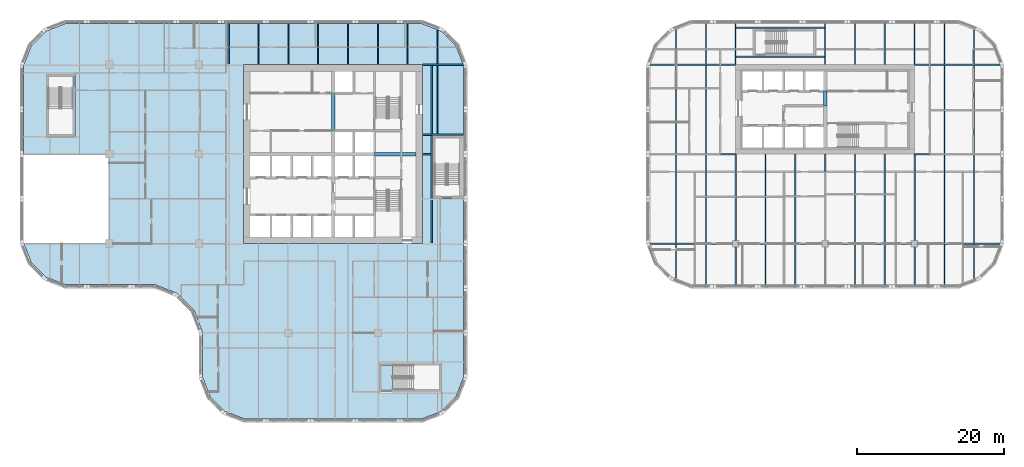
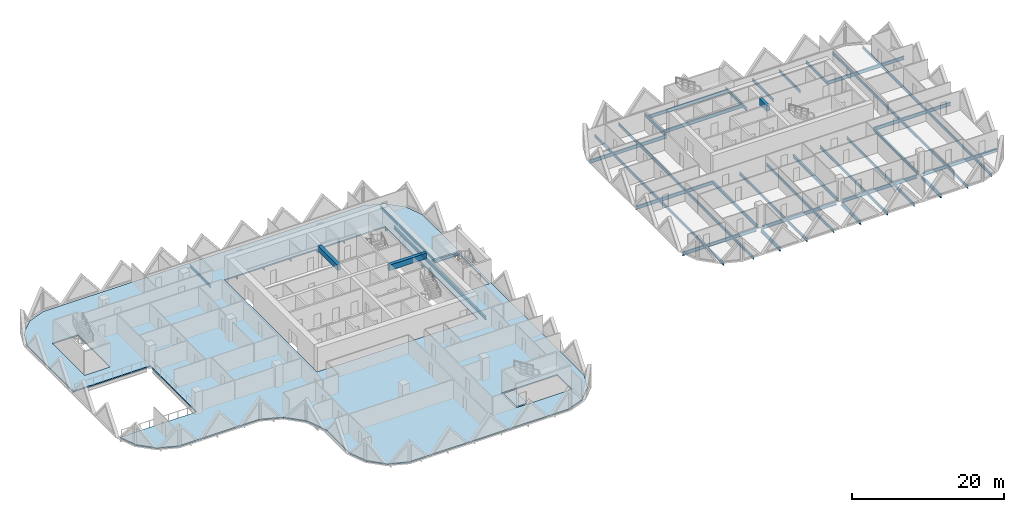
# One storey, part 2 of 19: 61 beams, 2 slabs.
"""IFC4 building model written with IfcOpenShell, lengths in metres."""

from ifc_helpers import new_model, si_unit, direction, frame, origin, origin_2d, place, context, subcontext, project, spatial, polyline, rectangle, i_section, outline, extrude, material, layer, layer_set, material_profile, profile_set, type_object, element, save


model = new_model("IFC4")

# Units and contexts
model_context = context("Model", 3, precision=1e-05, world=origin(), true_north=direction((0.0, 1.0)))
body_context = subcontext(model_context, "Body", "Model", "MODEL_VIEW")
ifc_project = project(units=[si_unit("LENGTHUNIT", "METRE"), si_unit("AREAUNIT", "SQUARE_METRE"), si_unit("VOLUMEUNIT", "CUBIC_METRE"), si_unit("PLANEANGLEUNIT", "RADIAN"), si_unit("MASSUNIT", "GRAM", prefix="KILO")], contexts=[model_context])

# Site, building, storey
site_placement = place(None, origin())
site = spatial("IfcSite", under=ifc_project, at=site_placement, CompositionType="ELEMENT")
building_placement = place(site_placement, origin())
building = spatial("IfcBuilding", under=site, at=building_placement, Name="Tessera Gate Towers", CompositionType="ELEMENT")
storey_placement = place(building_placement, frame((0.0, 0.0, 25.800048828125)))
storey = spatial("IfcBuildingStorey", under=building, at=storey_placement, Name="L05", CompositionType="ELEMENT", Elevation=25.800048828125)

# Beams
ifc_material_1 = material(Name="Concrete C60/75", Category="concrete")
ifc_material_profile_1 = material_profile(ifc_material_1, rectangle(XDim=0.5, YDim=0.89990234375, at=origin_2d()), Name="RC 500x900")
ifc_profile_set_1 = profile_set([ifc_material_profile_1], Name="Concrete C60/75")
beam_type_1 = type_object("IfcBeamType", Name="COUPLING BEAM 500x900 C60/75", PredefinedType="BEAM", material=ifc_profile_set_1)
beam_1_placement = place(storey_placement, frame((109.800048828125, 43.199951171875, 3.14990234375), z_axis=(0.0, 1.0, 0.0), x_axis=(-1.0, 0.0, 0.0)))
element("IfcBeam", 1, at=beam_1_placement, inside=storey, type_object=beam_type_1, Name="L05 coupling beam 1", PredefinedType="BEAM", context=body_context, shape_type="SweptSolid", body=[
    extrude(rectangle(XDim=0.5, YDim=0.89990234375, at=origin_2d()), origin(), (0.0, 0.0, 1.0), 2.0),
])
ifc_material_2 = material(Name="Concrete C70/85", Category="concrete")
ifc_material_profile_2 = material_profile(ifc_material_2, rectangle(XDim=0.5, YDim=0.89990234375, at=origin_2d()), Name="RC 500x900")
ifc_profile_set_2 = profile_set([ifc_material_profile_2], Name="Concrete C70/85")
beam_type_2 = type_object("IfcBeamType", Name="COUPLING BEAM 500x900 C70/85", PredefinedType="BEAM", material=ifc_profile_set_2)
beam_2_placement = place(storey_placement, frame((48.35009765625, 36.60009765625, 3.14990234375), z_axis=(1.0, 0.0, 0.0), x_axis=(0.0, 1.0, 0.0)))
element("IfcBeam", 2, at=beam_2_placement, inside=storey, type_object=beam_type_2, Name="L05 coupling beam 1", PredefinedType="BEAM", context=body_context, shape_type="SweptSolid", body=[
    extrude(rectangle(XDim=0.5, YDim=0.89990234375, at=origin_2d()), origin(), (0.0, 0.0, 1.0), 5.64990234375),
])
beam_3_placement = place(storey_placement, frame((42.699951171875, 39.800048828125, 3.14990234375), z_axis=(0.0, 1.0, 0.0), x_axis=(-1.0, 0.0, 0.0)))
element("IfcBeam", 3, at=beam_3_placement, inside=storey, type_object=beam_type_2, Name="L05 coupling beam 2", PredefinedType="BEAM", context=body_context, shape_type="SweptSolid", body=[
    extrude(rectangle(XDim=0.5, YDim=0.89990234375, at=origin_2d()), origin(), (0.0, 0.0, 1.0), 5.099853515625),
])
ifc_material_3 = material(Name="Steel 350W", Category="steel")
ifc_material_profile_3 = material_profile(ifc_material_3, i_section(OverallWidth=0.208984375, OverallDepth=0.532958984375, WebThickness=0.01025390625, FlangeThickness=0.015625, at=origin_2d()), Name="W530x92")
ifc_profile_set_3 = profile_set([ifc_material_profile_3], Name="Steel 350W")
beam_type_3 = type_object("IfcBeamType", Name="FLOOR GIRDER W530x92", PredefinedType="BEAM", material=ifc_profile_set_3)
beam_4_placement = place(storey_placement, frame((54.89892578125, 36.60009765625, -0.466552734375), z_axis=(1.0, 0.0, 0.0), x_axis=(0.0, 1.0, 0.0)))
element("IfcBeam", 4, at=beam_4_placement, inside=storey, type_object=beam_type_3, Name="T1-GD-L05-929", PredefinedType="BEAM", context=body_context, shape_type="SweptSolid", body=[
    extrude(i_section(OverallWidth=0.208984375, OverallDepth=0.532958984375, WebThickness=0.01025390625, FlangeThickness=0.015625, at=origin_2d()), origin(), (0.0, 0.0, 1.0), 1.176513671875),
])
beam_5_placement = place(storey_placement, frame((54.90087890625, 48.800048828125, -0.466552734375), z_axis=(1.0, 0.0, 0.0), x_axis=(0.0, 1.0, 0.0)))
element("IfcBeam", 5, at=beam_5_placement, inside=storey, type_object=beam_type_3, Name="T1-GD-L05-933", PredefinedType="BEAM", context=body_context, shape_type="SweptSolid", body=[
    extrude(i_section(OverallWidth=0.208984375, OverallDepth=0.532958984375, WebThickness=0.01025390625, FlangeThickness=0.015625, at=origin_2d()), origin(), (0.0, 0.0, 1.0), 5.564208984375),
])
beam_6_placement = place(storey_placement, frame((54.89892578125, 39.219970703125, -0.466552734375), z_axis=(1.0, 0.0, 0.0), x_axis=(0.0, 1.0, 0.0)))
element("IfcBeam", 6, at=beam_6_placement, inside=storey, type_object=beam_type_3, Name="T1-GD-L05-951", PredefinedType="BEAM", context=body_context, shape_type="SweptSolid", body=[
    extrude(i_section(OverallWidth=0.208984375, OverallDepth=0.532958984375, WebThickness=0.01025390625, FlangeThickness=0.015625, at=origin_2d()), origin(), (0.0, 0.0, 1.0), 5.60205078125),
])
beam_7_placement = place(storey_placement, frame((56.179931640625, 24.50439453125, -0.466552734375), z_axis=(0.0, 1.0, 0.0), x_axis=(-1.0, 0.0, 0.0)))
element("IfcBeam", 7, at=beam_7_placement, inside=storey, type_object=beam_type_3, Name="T1-GD-L05-952", PredefinedType="BEAM", context=body_context, shape_type="SweptSolid", body=[
    extrude(i_section(OverallWidth=0.208984375, OverallDepth=0.532958984375, WebThickness=0.01025390625, FlangeThickness=0.015625, at=origin_2d()), origin(), (0.0, 0.0, 1.0), 24.191162109375),
])
beam_8_placement = place(storey_placement, frame((85.934814453125, 24.39990234375, -0.466552734375), z_axis=(1.0, 0.0, 0.0), x_axis=(0.0, 1.0, 0.0)))
element("IfcBeam", 8, at=beam_8_placement, inside=storey, type_object=beam_type_3, Name="T2-GD-L05-993", PredefinedType="BEAM", context=body_context, shape_type="SweptSolid", body=[
    extrude(i_section(OverallWidth=0.208984375, OverallDepth=0.532958984375, WebThickness=0.01025390625, FlangeThickness=0.015625, at=origin_2d()), origin(), (0.0, 0.0, 1.0), 11.215087890625),
])
for number, where, z_axis, x_axis, name in (
    (9, (98.050048828125, 24.39990234375, -0.466552734375), (1.0, 0.0, 0.0), (0.0, 1.0, 0.0), "T2-GD-L05-994"),
    (10, (110.25, 24.39990234375, -0.466552734375), (1.0, 0.0, 0.0), (0.0, 1.0, 0.0), "T2-GD-L05-995"),
):
    element("IfcBeam", number, at=place(storey_placement, frame(where, z_axis=z_axis, x_axis=x_axis)), inside=storey, type_object=beam_type_3, Name=name, PredefinedType="BEAM", context=body_context, shape_type="SweptSolid", body=[
        extrude(i_section(OverallWidth=0.208984375, OverallDepth=0.532958984375, WebThickness=0.01025390625, FlangeThickness=0.015625, at=origin_2d()), origin(), (0.0, 0.0, 1.0), 11.300048828125),
    ])
beam_9_placement = place(storey_placement, frame((122.449951171875, 24.39990234375, -0.466552734375), z_axis=(1.0, 0.0, 0.0), x_axis=(0.0, 1.0, 0.0)))
element("IfcBeam", 11, at=beam_9_placement, inside=storey, type_object=beam_type_3, Name="T2-GD-L05-996", PredefinedType="BEAM", context=body_context, shape_type="SweptSolid", body=[
    extrude(i_section(OverallWidth=0.208984375, OverallDepth=0.532958984375, WebThickness=0.01025390625, FlangeThickness=0.015625, at=origin_2d()), origin(), (0.0, 0.0, 1.0), 11.21533203125),
])
beam_10_placement = place(storey_placement, frame((85.89892578125, 36.60009765625, -0.466552734375), z_axis=(1.0, 0.0, 0.0), x_axis=(0.0, 1.0, 0.0)))
element("IfcBeam", 12, at=beam_10_placement, inside=storey, type_object=beam_type_3, Name="T2-GD-L05-997", PredefinedType="BEAM", context=body_context, shape_type="SweptSolid", body=[
    extrude(i_section(OverallWidth=0.208984375, OverallDepth=0.532958984375, WebThickness=0.01025390625, FlangeThickness=0.015625, at=origin_2d()), origin(), (0.0, 0.0, 1.0), 11.7001953125),
])
beam_11_placement = place(storey_placement, frame((122.0009765625, 36.60009765625, -0.466552734375), z_axis=(1.0, 0.0, 0.0), x_axis=(0.0, 1.0, 0.0)))
element("IfcBeam", 13, at=beam_11_placement, inside=storey, type_object=beam_type_3, Name="T2-GD-L05-998", PredefinedType="BEAM", context=body_context, shape_type="SweptSolid", body=[
    extrude(i_section(OverallWidth=0.208984375, OverallDepth=0.532958984375, WebThickness=0.01025390625, FlangeThickness=0.015625, at=origin_2d()), origin(), (0.0, 0.0, 1.0), 11.699951171875),
])
for number, where, z_axis, x_axis, name in (
    (14, (85.934814453125, 48.800048828125, -0.466552734375), (1.0, 0.0, 0.0), (0.0, 1.0, 0.0), "T2-GD-L05-999"),
    (15, (122.0009765625, 48.800048828125, -0.466552734375), (1.0, 0.0, 0.0), (0.0, 1.0, 0.0), "T2-GD-L05-1000"),
):
    element("IfcBeam", number, at=place(storey_placement, frame(where, z_axis=z_axis, x_axis=x_axis)), inside=storey, type_object=beam_type_3, Name=name, PredefinedType="BEAM", context=body_context, shape_type="SweptSolid", body=[
        extrude(i_section(OverallWidth=0.208984375, OverallDepth=0.532958984375, WebThickness=0.01025390625, FlangeThickness=0.015625, at=origin_2d()), origin(), (0.0, 0.0, 1.0), 11.664306640625),
    ])
beam_12_placement = place(storey_placement, frame((97.60009765625, 18.799072265625, -0.466552734375), z_axis=(0.0, 1.0, 0.0), x_axis=(-1.0, 0.0, 0.0)))
element("IfcBeam", 16, at=beam_12_placement, inside=storey, type_object=beam_type_3, Name="T2-GD-L05-1001", PredefinedType="BEAM", context=body_context, shape_type="SweptSolid", body=[
    extrude(i_section(OverallWidth=0.208984375, OverallDepth=0.532958984375, WebThickness=0.01025390625, FlangeThickness=0.015625, at=origin_2d()), origin(), (0.0, 0.0, 1.0), 5.15087890625),
])
beam_13_placement = place(storey_placement, frame((97.60009765625, 24.85009765625, -0.466552734375), z_axis=(0.0, 1.0, 0.0), x_axis=(-1.0, 0.0, 0.0)))
element("IfcBeam", 17, at=beam_13_placement, inside=storey, type_object=beam_type_3, Name="T2-GD-L05-1002", PredefinedType="BEAM", context=body_context, shape_type="SweptSolid", body=[
    extrude(i_section(OverallWidth=0.208984375, OverallDepth=0.532958984375, WebThickness=0.01025390625, FlangeThickness=0.015625, at=origin_2d()), origin(), (0.0, 0.0, 1.0), 11.75),
])
beam_14_placement = place(storey_placement, frame((109.800048828125, 18.799072265625, -0.466552734375), z_axis=(0.0, 1.0, 0.0), x_axis=(-1.0, 0.0, 0.0)))
element("IfcBeam", 18, at=beam_14_placement, inside=storey, type_object=beam_type_3, Name="T2-GD-L05-1003", PredefinedType="BEAM", context=body_context, shape_type="SweptSolid", body=[
    extrude(i_section(OverallWidth=0.208984375, OverallDepth=0.532958984375, WebThickness=0.01025390625, FlangeThickness=0.015625, at=origin_2d()), origin(), (0.0, 0.0, 1.0), 5.15087890625),
])
beam_15_placement = place(storey_placement, frame((109.800048828125, 24.85009765625, -0.466552734375), z_axis=(0.0, 1.0, 0.0), x_axis=(-1.0, 0.0, 0.0)))
element("IfcBeam", 19, at=beam_15_placement, inside=storey, type_object=beam_type_3, Name="T2-GD-L05-1004", PredefinedType="BEAM", context=body_context, shape_type="SweptSolid", body=[
    extrude(i_section(OverallWidth=0.208984375, OverallDepth=0.532958984375, WebThickness=0.01025390625, FlangeThickness=0.015625, at=origin_2d()), origin(), (0.0, 0.0, 1.0), 11.75),
])
beam_16_placement = place(storey_placement, frame((122.0, 18.799072265625, -0.466552734375), z_axis=(0.0, 1.0, 0.0), x_axis=(-1.0, 0.0, 0.0)))
element("IfcBeam", 20, at=beam_16_placement, inside=storey, type_object=beam_type_3, Name="T2-GD-L05-1005", PredefinedType="BEAM", context=body_context, shape_type="SweptSolid", body=[
    extrude(i_section(OverallWidth=0.208984375, OverallDepth=0.532958984375, WebThickness=0.01025390625, FlangeThickness=0.015625, at=origin_2d()), origin(), (0.0, 0.0, 1.0), 5.15087890625),
])
beam_17_placement = place(storey_placement, frame((122.0, 24.85009765625, -0.466552734375), z_axis=(0.0, 1.0, 0.0), x_axis=(-1.0, 0.0, 0.0)))
element("IfcBeam", 21, at=beam_17_placement, inside=storey, type_object=beam_type_3, Name="T2-GD-L05-1006", PredefinedType="BEAM", context=body_context, shape_type="SweptSolid", body=[
    extrude(i_section(OverallWidth=0.208984375, OverallDepth=0.532958984375, WebThickness=0.01025390625, FlangeThickness=0.015625, at=origin_2d()), origin(), (0.0, 0.0, 1.0), 11.75),
])
for number, where, z_axis, x_axis, name in (
    (22, (97.676513671875, 49.8798828125, -0.466552734375), (1.0, 0.0, 0.0), (0.0, 1.0, 0.0), "T2-GD-L05-1007"),
    (23, (97.676513671875, 53.820068359375, -0.466552734375), (1.0, 0.0, 0.0), (0.0, 1.0, 0.0), "T2-GD-L05-1008"),
):
    element("IfcBeam", number, at=place(storey_placement, frame(where, z_axis=z_axis, x_axis=x_axis)), inside=storey, type_object=beam_type_3, Name=name, PredefinedType="BEAM", context=body_context, shape_type="SweptSolid", body=[
        extrude(i_section(OverallWidth=0.208984375, OverallDepth=0.532958984375, WebThickness=0.01025390625, FlangeThickness=0.015625, at=origin_2d()), origin(), (0.0, 0.0, 1.0), 12.046875),
    ])
ifc_material_4 = material(Name="Steel 350W", Category="steel")
ifc_material_profile_4 = material_profile(ifc_material_4, i_section(OverallWidth=0.153076171875, OverallDepth=0.455078125, WebThickness=0.008056640625, FlangeThickness=0.01318359375, at=origin_2d()), Name="W460x60")
ifc_profile_set_4 = profile_set([ifc_material_profile_4], Name="Steel 350W")
beam_type_4 = type_object("IfcBeamType", Name="FLOOR SECONDARY W460x60", PredefinedType="BEAM", material=ifc_profile_set_4)
beam_18_placement = place(storey_placement, frame((28.466796875, 48.904541015625, -0.427490234375), z_axis=(0.0, 1.0, 0.0), x_axis=(-1.0, 0.0, 0.0)))
element("IfcBeam", 24, at=beam_18_placement, inside=storey, type_object=beam_type_4, Name="T1-BM-L05-971", PredefinedType="BEAM", context=body_context, shape_type="SweptSolid", body=[
    extrude(i_section(OverallWidth=0.153076171875, OverallDepth=0.455078125, WebThickness=0.008056640625, FlangeThickness=0.01318359375, at=origin_2d()), origin(), (0.0, 0.0, 1.0), 5.495361328125),
])
for number, where, z_axis, x_axis, name in (
    (25, (32.533203125, 48.800048828125, -0.427490234375), (0.0, 1.0, 0.0), (-1.0, 0.0, 0.0), "T1-BM-L05-974"),
    (26, (36.60009765625, 48.800048828125, -0.427490234375), (0.0, 1.0, 0.0), (-1.0, 0.0, 0.0), "T1-BM-L05-975"),
    (27, (40.666748046875, 48.800048828125, -0.427490234375), (0.0, 1.0, 0.0), (-1.0, 0.0, 0.0), "T1-BM-L05-978"),
    (28, (44.7333984375, 48.800048828125, -0.427490234375), (0.0, 1.0, 0.0), (-1.0, 0.0, 0.0), "T1-BM-L05-981"),
    (29, (48.800048828125, 48.800048828125, -0.427490234375), (0.0, 1.0, 0.0), (-1.0, 0.0, 0.0), "T1-BM-L05-982"),
    (30, (52.86669921875, 48.800048828125, -0.427490234375), (0.0, 1.0, 0.0), (-1.0, 0.0, 0.0), "T1-BM-L05-986"),
):
    element("IfcBeam", number, at=place(storey_placement, frame(where, z_axis=z_axis, x_axis=x_axis)), inside=storey, type_object=beam_type_4, Name=name, PredefinedType="BEAM", context=body_context, shape_type="SweptSolid", body=[
        extrude(i_section(OverallWidth=0.153076171875, OverallDepth=0.455078125, WebThickness=0.008056640625, FlangeThickness=0.01318359375, at=origin_2d()), origin(), (0.0, 0.0, 1.0), 5.599853515625),
    ])
beam_19_placement = place(storey_placement, frame((56.933349609375, 39.324462890625, -0.427490234375), z_axis=(0.0, 1.0, 0.0), x_axis=(-1.0, 0.0, 0.0)))
element("IfcBeam", 31, at=beam_19_placement, inside=storey, type_object=beam_type_4, Name="T1-BM-L05-991", PredefinedType="BEAM", context=body_context, shape_type="SweptSolid", body=[
    extrude(i_section(OverallWidth=0.153076171875, OverallDepth=0.455078125, WebThickness=0.008056640625, FlangeThickness=0.01318359375, at=origin_2d()), origin(), (0.0, 0.0, 1.0), 9.37109375),
])
for number, where, z_axis, x_axis, name in (
    (32, (56.933349609375, 48.904541015625, -0.427490234375), (0.0, 1.0, 0.0), (-1.0, 0.0, 0.0), "T1-BM-L05-992"),
    (33, (89.466796875, 19.620361328125, -0.427490234375), (0.0, 1.0, 0.0), (-1.0, 0.0, 0.0), "T2-BM-L05-1009"),
):
    element("IfcBeam", number, at=place(storey_placement, frame(where, z_axis=z_axis, x_axis=x_axis)), inside=storey, type_object=beam_type_4, Name=name, PredefinedType="BEAM", context=body_context, shape_type="SweptSolid", body=[
        extrude(i_section(OverallWidth=0.153076171875, OverallDepth=0.455078125, WebThickness=0.008056640625, FlangeThickness=0.01318359375, at=origin_2d()), origin(), (0.0, 0.0, 1.0), 4.675048828125),
    ])
beam_20_placement = place(storey_placement, frame((89.466796875, 24.50439453125, -0.427490234375), z_axis=(0.0, 1.0, 0.0), x_axis=(-1.0, 0.0, 0.0)))
element("IfcBeam", 34, at=beam_20_placement, inside=storey, type_object=beam_type_4, Name="T2-BM-L05-1010", PredefinedType="BEAM", context=body_context, shape_type="SweptSolid", body=[
    extrude(i_section(OverallWidth=0.153076171875, OverallDepth=0.455078125, WebThickness=0.008056640625, FlangeThickness=0.01318359375, at=origin_2d()), origin(), (0.0, 0.0, 1.0), 11.9912109375),
])
beam_21_placement = place(storey_placement, frame((89.466796875, 36.70458984375, -0.427490234375), z_axis=(0.0, 1.0, 0.0), x_axis=(-1.0, 0.0, 0.0)))
element("IfcBeam", 35, at=beam_21_placement, inside=storey, type_object=beam_type_4, Name="T2-BM-L05-1011", PredefinedType="BEAM", context=body_context, shape_type="SweptSolid", body=[
    extrude(i_section(OverallWidth=0.153076171875, OverallDepth=0.455078125, WebThickness=0.008056640625, FlangeThickness=0.01318359375, at=origin_2d()), origin(), (0.0, 0.0, 1.0), 11.990966796875),
])
beam_22_placement = place(storey_placement, frame((89.466796875, 48.904541015625, -0.427490234375), z_axis=(0.0, 1.0, 0.0), x_axis=(-1.0, 0.0, 0.0)))
element("IfcBeam", 36, at=beam_22_placement, inside=storey, type_object=beam_type_4, Name="T2-BM-L05-1012", PredefinedType="BEAM", context=body_context, shape_type="SweptSolid", body=[
    extrude(i_section(OverallWidth=0.153076171875, OverallDepth=0.455078125, WebThickness=0.008056640625, FlangeThickness=0.01318359375, at=origin_2d()), origin(), (0.0, 0.0, 1.0), 4.675048828125),
])
beam_23_placement = place(storey_placement, frame((93.533203125, 18.800048828125, -0.427490234375), z_axis=(0.0, 1.0, 0.0), x_axis=(-1.0, 0.0, 0.0)))
element("IfcBeam", 37, at=beam_23_placement, inside=storey, type_object=beam_type_4, Name="T2-BM-L05-1013", PredefinedType="BEAM", context=body_context, shape_type="SweptSolid", body=[
    extrude(i_section(OverallWidth=0.153076171875, OverallDepth=0.455078125, WebThickness=0.008056640625, FlangeThickness=0.01318359375, at=origin_2d()), origin(), (0.0, 0.0, 1.0), 5.495361328125),
])
beam_24_placement = place(storey_placement, frame((93.533203125, 24.50439453125, -0.427490234375), z_axis=(0.0, 1.0, 0.0), x_axis=(-1.0, 0.0, 0.0)))
element("IfcBeam", 38, at=beam_24_placement, inside=storey, type_object=beam_type_4, Name="T2-BM-L05-1014", PredefinedType="BEAM", context=body_context, shape_type="SweptSolid", body=[
    extrude(i_section(OverallWidth=0.153076171875, OverallDepth=0.455078125, WebThickness=0.008056640625, FlangeThickness=0.01318359375, at=origin_2d()), origin(), (0.0, 0.0, 1.0), 11.9912109375),
])
beam_25_placement = place(storey_placement, frame((93.533203125, 36.70458984375, -0.427490234375), z_axis=(0.0, 1.0, 0.0), x_axis=(-1.0, 0.0, 0.0)))
element("IfcBeam", 39, at=beam_25_placement, inside=storey, type_object=beam_type_4, Name="T2-BM-L05-1015", PredefinedType="BEAM", context=body_context, shape_type="SweptSolid", body=[
    extrude(i_section(OverallWidth=0.153076171875, OverallDepth=0.455078125, WebThickness=0.008056640625, FlangeThickness=0.01318359375, at=origin_2d()), origin(), (0.0, 0.0, 1.0), 11.990966796875),
])
beam_26_placement = place(storey_placement, frame((93.533203125, 48.904541015625, -0.427490234375), z_axis=(0.0, 1.0, 0.0), x_axis=(-1.0, 0.0, 0.0)))
element("IfcBeam", 40, at=beam_26_placement, inside=storey, type_object=beam_type_4, Name="T2-BM-L05-1016", PredefinedType="BEAM", context=body_context, shape_type="SweptSolid", body=[
    extrude(i_section(OverallWidth=0.153076171875, OverallDepth=0.455078125, WebThickness=0.008056640625, FlangeThickness=0.01318359375, at=origin_2d()), origin(), (0.0, 0.0, 1.0), 5.495361328125),
])
beam_27_placement = place(storey_placement, frame((97.60009765625, 48.800048828125, -0.427490234375), z_axis=(0.0, 1.0, 0.0), x_axis=(-1.0, 0.0, 0.0)))
element("IfcBeam", 41, at=beam_27_placement, inside=storey, type_object=beam_type_4, Name="T2-BM-L05-1017", PredefinedType="BEAM", context=body_context, shape_type="SweptSolid", body=[
    extrude(i_section(OverallWidth=0.153076171875, OverallDepth=0.455078125, WebThickness=0.008056640625, FlangeThickness=0.01318359375, at=origin_2d()), origin(), (0.0, 0.0, 1.0), 5.599853515625),
])
beam_28_placement = place(storey_placement, frame((101.666748046875, 18.800048828125, -0.427490234375), z_axis=(0.0, 1.0, 0.0), x_axis=(-1.0, 0.0, 0.0)))
element("IfcBeam", 42, at=beam_28_placement, inside=storey, type_object=beam_type_4, Name="T2-BM-L05-1018", PredefinedType="BEAM", context=body_context, shape_type="SweptSolid", body=[
    extrude(i_section(OverallWidth=0.153076171875, OverallDepth=0.455078125, WebThickness=0.008056640625, FlangeThickness=0.01318359375, at=origin_2d()), origin(), (0.0, 0.0, 1.0), 5.495361328125),
])
beam_29_placement = place(storey_placement, frame((101.666748046875, 24.50439453125, -0.427490234375), z_axis=(0.0, 1.0, 0.0), x_axis=(-1.0, 0.0, 0.0)))
element("IfcBeam", 43, at=beam_29_placement, inside=storey, type_object=beam_type_4, Name="T2-BM-L05-1019", PredefinedType="BEAM", context=body_context, shape_type="SweptSolid", body=[
    extrude(i_section(OverallWidth=0.153076171875, OverallDepth=0.455078125, WebThickness=0.008056640625, FlangeThickness=0.01318359375, at=origin_2d()), origin(), (0.0, 0.0, 1.0), 12.095703125),
])
beam_30_placement = place(storey_placement, frame((105.7333984375, 18.800048828125, -0.427490234375), z_axis=(0.0, 1.0, 0.0), x_axis=(-1.0, 0.0, 0.0)))
element("IfcBeam", 44, at=beam_30_placement, inside=storey, type_object=beam_type_4, Name="T2-BM-L05-1020", PredefinedType="BEAM", context=body_context, shape_type="SweptSolid", body=[
    extrude(i_section(OverallWidth=0.153076171875, OverallDepth=0.455078125, WebThickness=0.008056640625, FlangeThickness=0.01318359375, at=origin_2d()), origin(), (0.0, 0.0, 1.0), 5.495361328125),
])
beam_31_placement = place(storey_placement, frame((105.7333984375, 24.50439453125, -0.427490234375), z_axis=(0.0, 1.0, 0.0), x_axis=(-1.0, 0.0, 0.0)))
element("IfcBeam", 45, at=beam_31_placement, inside=storey, type_object=beam_type_4, Name="T2-BM-L05-1021", PredefinedType="BEAM", context=body_context, shape_type="SweptSolid", body=[
    extrude(i_section(OverallWidth=0.153076171875, OverallDepth=0.455078125, WebThickness=0.008056640625, FlangeThickness=0.01318359375, at=origin_2d()), origin(), (0.0, 0.0, 1.0), 12.095703125),
])
beam_32_placement = place(storey_placement, frame((109.800048828125, 48.800048828125, -0.427490234375), z_axis=(0.0, 1.0, 0.0), x_axis=(-1.0, 0.0, 0.0)))
element("IfcBeam", 46, at=beam_32_placement, inside=storey, type_object=beam_type_4, Name="T2-BM-L05-1022", PredefinedType="BEAM", context=body_context, shape_type="SweptSolid", body=[
    extrude(i_section(OverallWidth=0.153076171875, OverallDepth=0.455078125, WebThickness=0.008056640625, FlangeThickness=0.01318359375, at=origin_2d()), origin(), (0.0, 0.0, 1.0), 5.599853515625),
])
beam_33_placement = place(storey_placement, frame((113.86669921875, 18.800048828125, -0.427490234375), z_axis=(0.0, 1.0, 0.0), x_axis=(-1.0, 0.0, 0.0)))
element("IfcBeam", 47, at=beam_33_placement, inside=storey, type_object=beam_type_4, Name="T2-BM-L05-1023", PredefinedType="BEAM", context=body_context, shape_type="SweptSolid", body=[
    extrude(i_section(OverallWidth=0.153076171875, OverallDepth=0.455078125, WebThickness=0.008056640625, FlangeThickness=0.01318359375, at=origin_2d()), origin(), (0.0, 0.0, 1.0), 5.495361328125),
])
beam_34_placement = place(storey_placement, frame((113.86669921875, 24.50439453125, -0.427490234375), z_axis=(0.0, 1.0, 0.0), x_axis=(-1.0, 0.0, 0.0)))
element("IfcBeam", 48, at=beam_34_placement, inside=storey, type_object=beam_type_4, Name="T2-BM-L05-1024", PredefinedType="BEAM", context=body_context, shape_type="SweptSolid", body=[
    extrude(i_section(OverallWidth=0.153076171875, OverallDepth=0.455078125, WebThickness=0.008056640625, FlangeThickness=0.01318359375, at=origin_2d()), origin(), (0.0, 0.0, 1.0), 12.095703125),
])
beam_35_placement = place(storey_placement, frame((113.86669921875, 48.800048828125, -0.427490234375), z_axis=(0.0, 1.0, 0.0), x_axis=(-1.0, 0.0, 0.0)))
element("IfcBeam", 49, at=beam_35_placement, inside=storey, type_object=beam_type_4, Name="T2-BM-L05-1025", PredefinedType="BEAM", context=body_context, shape_type="SweptSolid", body=[
    extrude(i_section(OverallWidth=0.153076171875, OverallDepth=0.455078125, WebThickness=0.008056640625, FlangeThickness=0.01318359375, at=origin_2d()), origin(), (0.0, 0.0, 1.0), 5.599853515625),
])
beam_36_placement = place(storey_placement, frame((117.933349609375, 18.800048828125, -0.427490234375), z_axis=(0.0, 1.0, 0.0), x_axis=(-1.0, 0.0, 0.0)))
element("IfcBeam", 50, at=beam_36_placement, inside=storey, type_object=beam_type_4, Name="T2-BM-L05-1026", PredefinedType="BEAM", context=body_context, shape_type="SweptSolid", body=[
    extrude(i_section(OverallWidth=0.153076171875, OverallDepth=0.455078125, WebThickness=0.008056640625, FlangeThickness=0.01318359375, at=origin_2d()), origin(), (0.0, 0.0, 1.0), 5.495361328125),
])
beam_37_placement = place(storey_placement, frame((117.933349609375, 24.50439453125, -0.427490234375), z_axis=(0.0, 1.0, 0.0), x_axis=(-1.0, 0.0, 0.0)))
element("IfcBeam", 51, at=beam_37_placement, inside=storey, type_object=beam_type_4, Name="T2-BM-L05-1027", PredefinedType="BEAM", context=body_context, shape_type="SweptSolid", body=[
    extrude(i_section(OverallWidth=0.153076171875, OverallDepth=0.455078125, WebThickness=0.008056640625, FlangeThickness=0.01318359375, at=origin_2d()), origin(), (0.0, 0.0, 1.0), 12.095703125),
])
for number, where, z_axis, x_axis, name in (
    (52, (117.933349609375, 48.800048828125, -0.427490234375), (0.0, 1.0, 0.0), (-1.0, 0.0, 0.0), "T2-BM-L05-1028"),
    (53, (122.0, 48.800048828125, -0.427490234375), (0.0, 1.0, 0.0), (-1.0, 0.0, 0.0), "T2-BM-L05-1029"),
):
    element("IfcBeam", number, at=place(storey_placement, frame(where, z_axis=z_axis, x_axis=x_axis)), inside=storey, type_object=beam_type_4, Name=name, PredefinedType="BEAM", context=body_context, shape_type="SweptSolid", body=[
        extrude(i_section(OverallWidth=0.153076171875, OverallDepth=0.455078125, WebThickness=0.008056640625, FlangeThickness=0.01318359375, at=origin_2d()), origin(), (0.0, 0.0, 1.0), 5.599853515625),
    ])
beam_38_placement = place(storey_placement, frame((126.066650390625, 18.800048828125, -0.427490234375), z_axis=(0.0, 1.0, 0.0), x_axis=(-1.0, 0.0, 0.0)))
element("IfcBeam", 54, at=beam_38_placement, inside=storey, type_object=beam_type_4, Name="T2-BM-L05-1030", PredefinedType="BEAM", context=body_context, shape_type="SweptSolid", body=[
    extrude(i_section(OverallWidth=0.153076171875, OverallDepth=0.455078125, WebThickness=0.008056640625, FlangeThickness=0.01318359375, at=origin_2d()), origin(), (0.0, 0.0, 1.0), 5.495361328125),
])
beam_39_placement = place(storey_placement, frame((126.066650390625, 24.50439453125, -0.427490234375), z_axis=(0.0, 1.0, 0.0), x_axis=(-1.0, 0.0, 0.0)))
element("IfcBeam", 55, at=beam_39_placement, inside=storey, type_object=beam_type_4, Name="T2-BM-L05-1031", PredefinedType="BEAM", context=body_context, shape_type="SweptSolid", body=[
    extrude(i_section(OverallWidth=0.153076171875, OverallDepth=0.455078125, WebThickness=0.008056640625, FlangeThickness=0.01318359375, at=origin_2d()), origin(), (0.0, 0.0, 1.0), 11.9912109375),
])
beam_40_placement = place(storey_placement, frame((126.066650390625, 36.70458984375, -0.427490234375), z_axis=(0.0, 1.0, 0.0), x_axis=(-1.0, 0.0, 0.0)))
element("IfcBeam", 56, at=beam_40_placement, inside=storey, type_object=beam_type_4, Name="T2-BM-L05-1032", PredefinedType="BEAM", context=body_context, shape_type="SweptSolid", body=[
    extrude(i_section(OverallWidth=0.153076171875, OverallDepth=0.455078125, WebThickness=0.008056640625, FlangeThickness=0.01318359375, at=origin_2d()), origin(), (0.0, 0.0, 1.0), 11.990966796875),
])
beam_41_placement = place(storey_placement, frame((126.066650390625, 48.904541015625, -0.427490234375), z_axis=(0.0, 1.0, 0.0), x_axis=(-1.0, 0.0, 0.0)))
element("IfcBeam", 57, at=beam_41_placement, inside=storey, type_object=beam_type_4, Name="T2-BM-L05-1033", PredefinedType="BEAM", context=body_context, shape_type="SweptSolid", body=[
    extrude(i_section(OverallWidth=0.153076171875, OverallDepth=0.455078125, WebThickness=0.008056640625, FlangeThickness=0.01318359375, at=origin_2d()), origin(), (0.0, 0.0, 1.0), 5.495361328125),
])
beam_42_placement = place(storey_placement, frame((130.13330078125, 19.620361328125, -0.427490234375), z_axis=(0.0, 1.0, 0.0), x_axis=(-1.0, 0.0, 0.0)))
element("IfcBeam", 58, at=beam_42_placement, inside=storey, type_object=beam_type_4, Name="T2-BM-L05-1034", PredefinedType="BEAM", context=body_context, shape_type="SweptSolid", body=[
    extrude(i_section(OverallWidth=0.153076171875, OverallDepth=0.455078125, WebThickness=0.008056640625, FlangeThickness=0.01318359375, at=origin_2d()), origin(), (0.0, 0.0, 1.0), 4.675048828125),
])
beam_43_placement = place(storey_placement, frame((130.13330078125, 24.50439453125, -0.427490234375), z_axis=(0.0, 1.0, 0.0), x_axis=(-1.0, 0.0, 0.0)))
element("IfcBeam", 59, at=beam_43_placement, inside=storey, type_object=beam_type_4, Name="T2-BM-L05-1035", PredefinedType="BEAM", context=body_context, shape_type="SweptSolid", body=[
    extrude(i_section(OverallWidth=0.153076171875, OverallDepth=0.455078125, WebThickness=0.008056640625, FlangeThickness=0.01318359375, at=origin_2d()), origin(), (0.0, 0.0, 1.0), 11.9912109375),
])
beam_44_placement = place(storey_placement, frame((130.13330078125, 36.70458984375, -0.427490234375), z_axis=(0.0, 1.0, 0.0), x_axis=(-1.0, 0.0, 0.0)))
element("IfcBeam", 60, at=beam_44_placement, inside=storey, type_object=beam_type_4, Name="T2-BM-L05-1036", PredefinedType="BEAM", context=body_context, shape_type="SweptSolid", body=[
    extrude(i_section(OverallWidth=0.153076171875, OverallDepth=0.455078125, WebThickness=0.008056640625, FlangeThickness=0.01318359375, at=origin_2d()), origin(), (0.0, 0.0, 1.0), 11.990966796875),
])
beam_45_placement = place(storey_placement, frame((130.13330078125, 48.904541015625, -0.427490234375), z_axis=(0.0, 1.0, 0.0), x_axis=(-1.0, 0.0, 0.0)))
element("IfcBeam", 61, at=beam_45_placement, inside=storey, type_object=beam_type_4, Name="T2-BM-L05-1037", PredefinedType="BEAM", context=body_context, shape_type="SweptSolid", body=[
    extrude(i_section(OverallWidth=0.153076171875, OverallDepth=0.455078125, WebThickness=0.008056640625, FlangeThickness=0.01318359375, at=origin_2d()), origin(), (0.0, 0.0, 1.0), 4.675048828125),
])

# Slabs
ifc_material_5 = material(Name="Concrete C35/45", Category="concrete")
ifc_layer_1 = layer(ifc_material_5, 0.199951171875)
ifc_layer_set_1 = layer_set([ifc_layer_1], Name="COMPOSITE FLOOR 200")
slab_type_1 = type_object("IfcSlabType", Name="COMPOSITE FLOOR 200", PredefinedType="FLOOR", material=ifc_layer_set_1)
slab_1_placement = place(storey_placement, frame((0.0, 0.0, -0.199951171875)))
element("IfcSlab", 62, at=slab_1_placement, inside=storey, type_object=slab_type_1, Name="T1-L05", PredefinedType="FLOOR", context=body_context, shape_type="SweptSolid", body=[
    extrude(outline(polyline([(0.5, 36.60009765625), (12.199951171875, 36.60009765625), (12.199951171875, 24.39990234375), (0.535888671875, 24.39990234375), (1.526123046875, 21.8330078125), (3.533203125, 19.826171875), (6.193115234375, 18.800048828125), (18.39306640625, 18.800048828125), (21.42431640625, 17.630615234375), (23.730712890625, 15.32421875), (24.89990234375, 12.293212890625), (24.89990234375, 6.193115234375), (25.926025390625, 3.533203125), (27.93310546875, 1.526123046875), (30.593017578125, 0.5), (54.806884765625, 0.5), (57.466796875, 1.526123046875), (59.473876953125, 3.533203125), (60.5, 6.193115234375), (60.5, 48.706787109375), (59.473876953125, 51.366943359375), (57.466796875, 53.373779296875), (54.806884765625, 54.39990234375), (6.193115234375, 54.39990234375), (3.533203125, 53.373779296875), (1.526123046875, 51.366943359375), (0.5, 48.706787109375), (0.5, 36.60009765625)]), holes=[polyline([(3.60009765625, 39.0), (3.60009765625, 47.5), (7.5, 47.5), (7.5, 39.0), (3.60009765625, 39.0)]), polyline([(30.5, 24.39990234375), (30.5, 48.800048828125), (54.89990234375, 48.800048828125), (54.89990234375, 24.39990234375), (30.5, 24.39990234375)]), polyline([(49.0, 4.199951171875), (49.0, 8.10009765625), (57.5, 8.10009765625), (57.5, 4.199951171875), (49.0, 4.199951171875)]), polyline([(56.300048828125, 30.60009765625), (56.300048828125, 39.10009765625), (60.199951171875, 39.10009765625), (60.199951171875, 30.60009765625), (56.300048828125, 30.60009765625)])]), origin(), (0.0, 0.0, 1.0), 0.199951171875),
])
ifc_material_6 = material(Name="Concrete C35/45", Category="concrete")
ifc_layer_2 = layer(ifc_material_6, 0.199951171875)
ifc_layer_set_2 = layer_set([ifc_layer_2], Name="CORE FLOOR SLAB 200")
slab_type_2 = type_object("IfcSlabType", Name="CORE FLOOR SLAB 200", PredefinedType="FLOOR", material=ifc_layer_set_2)
slab_2_placement = place(storey_placement, frame((0.0, 0.0, -0.199951171875)))
element("IfcSlab", 63, at=slab_2_placement, inside=storey, type_object=slab_type_2, Name="L05 ST4 floor landing", PredefinedType="FLOOR", context=body_context, shape_type="SweptSolid", body=[
    extrude(outline(polyline([(49.25, 4.449951171875), (50.85009765625, 4.449951171875), (50.85009765625, 7.85009765625), (49.25, 7.85009765625), (49.25, 4.449951171875)])), origin(), (0.0, 0.0, 1.0), 0.199951171875),
])

save(model, "model.ifc")
